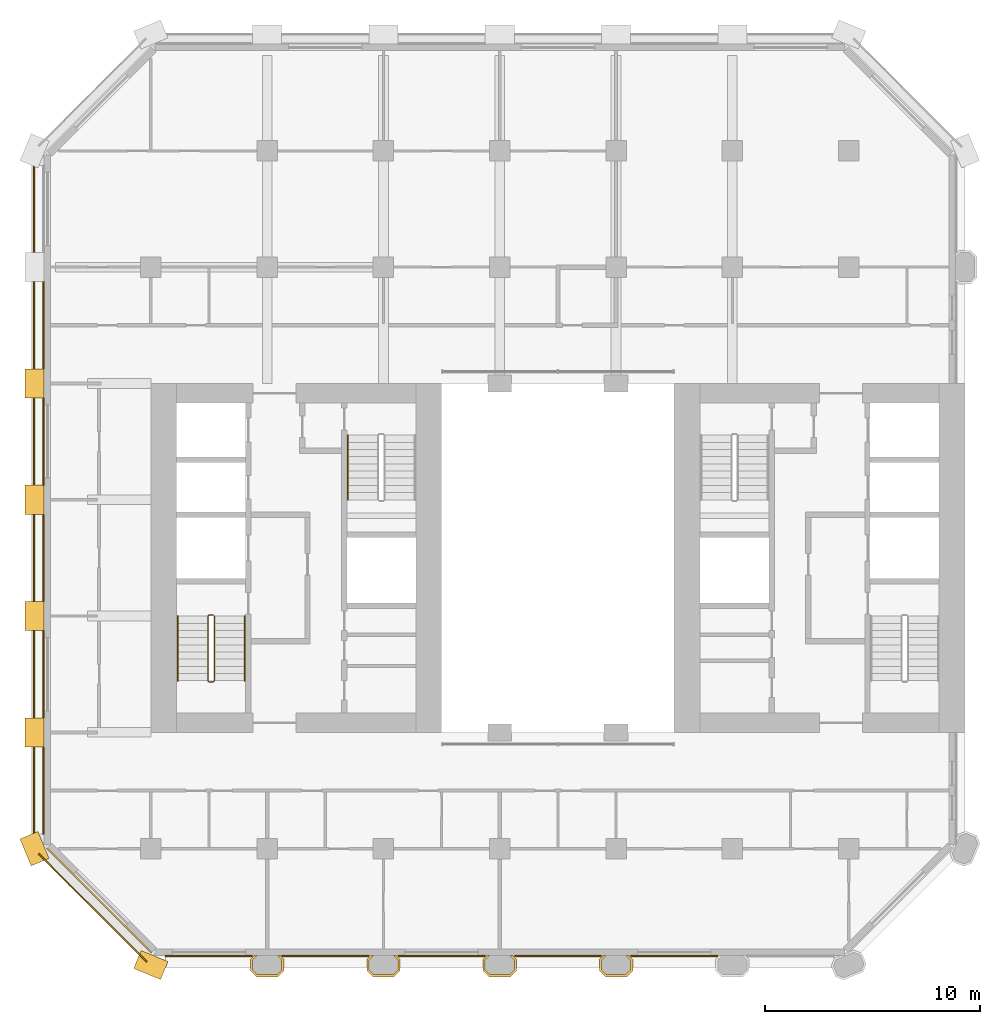
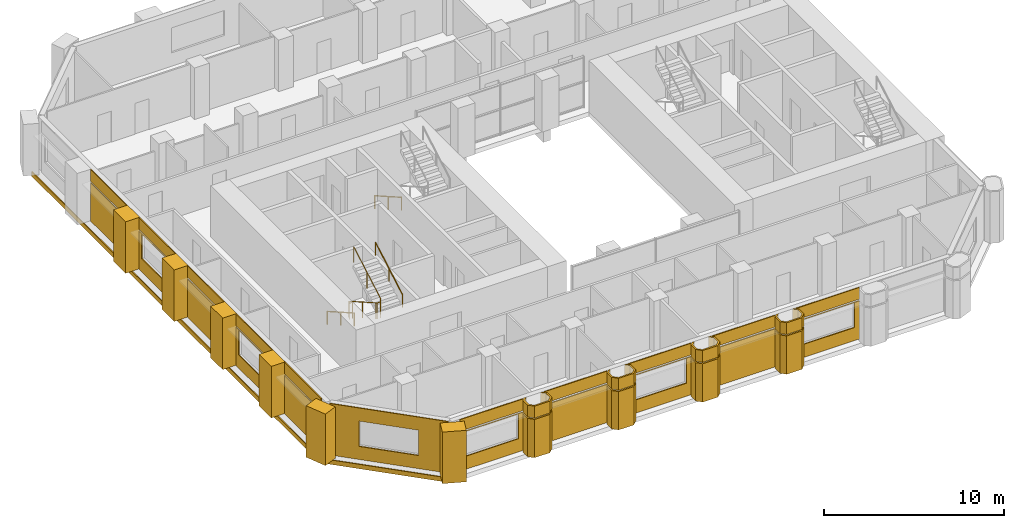
# One storey, part 11 of 13: 37 coverings, 4 railings.
"""IFC4 building model written with IfcOpenShell, lengths in metres."""

from ifc_helpers import new_model, si_unit, direction, frame, frame_2d, origin, origin_2d, place, context, subcontext, project, spatial, polyline, rectangle, circle, outline, extrude, material, layer, layer_set, type_object, element, save


model = new_model("IFC4")

# Units and contexts
model_context = context("Model", 3, precision=1e-05, world=origin(), true_north=direction((0.0, 1.0)))
body_context = subcontext(model_context, "Body", "Model", "MODEL_VIEW")
ifc_project = project(units=[si_unit("LENGTHUNIT", "METRE"), si_unit("AREAUNIT", "SQUARE_METRE"), si_unit("VOLUMEUNIT", "CUBIC_METRE"), si_unit("PLANEANGLEUNIT", "RADIAN"), si_unit("MASSUNIT", "GRAM", prefix="KILO")], contexts=[model_context])

# Site, building, storey
site_placement = place(None, origin())
site = spatial("IfcSite", under=ifc_project, at=site_placement, CompositionType="ELEMENT")
building_placement = place(site_placement, origin())
building = spatial("IfcBuilding", under=site, at=building_placement, Name="Tabaq Tower and Sports Hall", CompositionType="ELEMENT")
storey_placement = place(building_placement, frame((0.0, 0.0, 110.60009765625)))
storey = spatial("IfcBuildingStorey", under=building, at=storey_placement, Name="L26", CompositionType="ELEMENT", Elevation=110.60009765625)

# Coverings
ifc_material_1 = material(Name="Precast concrete C60/75", Category="concrete")
ifc_layer_1 = layer(ifc_material_1, 0.10009765625)
ifc_layer_set_1 = layer_set([ifc_layer_1], Name="Column cladding 100")
covering_type_1 = type_object("IfcCoveringType", Name="Column cladding 100", PredefinedType="CLADDING", material=ifc_layer_set_1)
covering_1_placement = place(storey_placement, origin())
element("IfcCovering", 1, at=covering_1_placement, inside=storey, type_object=covering_type_1, Name="Column cladding L26 PC-3B-O3", PredefinedType="CLADDING", context=body_context, shape_type="SweptSolid", body=[
    extrude(outline(polyline([(10.025390625, 5.666259765625), (10.208740234375, 5.849609375), (10.349365234375, 5.849609375), (10.124755859375, 5.625244140625), (10.124755859375, 5.1748046875), (10.349853515625, 4.94970703125), (11.250244140625, 4.94970703125), (11.475341796875, 5.1748046875), (11.475341796875, 5.625244140625), (11.250732421875, 5.849609375), (11.391357421875, 5.849609375), (11.57470703125, 5.666259765625), (11.57470703125, 5.1337890625), (11.291259765625, 4.850341796875), (10.30859375, 4.850341796875), (10.025390625, 5.1337890625), (10.025390625, 5.666259765625)])), origin(), (0.0, 0.0, 1.0), 2.599853515625),
])
covering_2_placement = place(storey_placement, frame((0.0, 0.0, 2.699951171875)))
element("IfcCovering", 2, at=covering_2_placement, inside=storey, type_object=covering_type_1, Name="Column cladding L26 PC-3B-O3 2", PredefinedType="CLADDING", context=body_context, shape_type="SweptSolid", body=[
    extrude(outline(polyline([(10.025390625, 5.666259765625), (10.208740234375, 5.849609375), (10.349365234375, 5.849609375), (10.124755859375, 5.625244140625), (10.124755859375, 5.1748046875), (10.349853515625, 4.94970703125), (11.250244140625, 4.94970703125), (11.475341796875, 5.1748046875), (11.475341796875, 5.625244140625), (11.250732421875, 5.849609375), (11.391357421875, 5.849609375), (11.57470703125, 5.666259765625), (11.57470703125, 5.1337890625), (11.291259765625, 4.850341796875), (10.30859375, 4.850341796875), (10.025390625, 5.1337890625), (10.025390625, 5.666259765625)])), origin(), (0.0, 0.0, 1.0), 0.800048828125),
])
covering_3_placement = place(storey_placement, origin())
element("IfcCovering", 3, at=covering_3_placement, inside=storey, type_object=covering_type_1, Name="Column cladding L26 PC-4B-O3", PredefinedType="CLADDING", context=body_context, shape_type="SweptSolid", body=[
    extrude(outline(polyline([(15.42529296875, 5.666259765625), (15.608642578125, 5.849609375), (15.749267578125, 5.849609375), (15.524658203125, 5.625244140625), (15.524658203125, 5.1748046875), (15.749755859375, 4.94970703125), (16.650146484375, 4.94970703125), (16.875244140625, 5.1748046875), (16.875244140625, 5.625244140625), (16.650634765625, 5.849609375), (16.791259765625, 5.849609375), (16.974609375, 5.666259765625), (16.974609375, 5.1337890625), (16.69140625, 4.850341796875), (15.708740234375, 4.850341796875), (15.42529296875, 5.1337890625), (15.42529296875, 5.666259765625)])), origin(), (0.0, 0.0, 1.0), 2.599853515625),
])
covering_4_placement = place(storey_placement, frame((0.0, 0.0, 2.699951171875)))
element("IfcCovering", 4, at=covering_4_placement, inside=storey, type_object=covering_type_1, Name="Column cladding L26 PC-4B-O3 2", PredefinedType="CLADDING", context=body_context, shape_type="SweptSolid", body=[
    extrude(outline(polyline([(15.42529296875, 5.666259765625), (15.608642578125, 5.849609375), (15.749267578125, 5.849609375), (15.524658203125, 5.625244140625), (15.524658203125, 5.1748046875), (15.749755859375, 4.94970703125), (16.650146484375, 4.94970703125), (16.875244140625, 5.1748046875), (16.875244140625, 5.625244140625), (16.650634765625, 5.849609375), (16.791259765625, 5.849609375), (16.974609375, 5.666259765625), (16.974609375, 5.1337890625), (16.69140625, 4.850341796875), (15.708740234375, 4.850341796875), (15.42529296875, 5.1337890625), (15.42529296875, 5.666259765625)])), origin(), (0.0, 0.0, 1.0), 0.800048828125),
])
covering_5_placement = place(storey_placement, origin())
element("IfcCovering", 5, at=covering_5_placement, inside=storey, type_object=covering_type_1, Name="Column cladding L26 PC-5B-O3", PredefinedType="CLADDING", context=body_context, shape_type="SweptSolid", body=[
    extrude(outline(polyline([(20.8251953125, 5.666259765625), (21.0087890625, 5.849609375), (21.149169921875, 5.849609375), (20.9248046875, 5.625244140625), (20.9248046875, 5.1748046875), (21.14990234375, 4.94970703125), (22.050048828125, 4.94970703125), (22.275390625, 5.1748046875), (22.275390625, 5.625244140625), (22.05078125, 5.849609375), (22.19140625, 5.849609375), (22.374755859375, 5.666259765625), (22.374755859375, 5.1337890625), (22.09130859375, 4.850341796875), (21.108642578125, 4.850341796875), (20.8251953125, 5.1337890625), (20.8251953125, 5.666259765625)])), origin(), (0.0, 0.0, 1.0), 2.599853515625),
])
covering_6_placement = place(storey_placement, frame((0.0, 0.0, 2.699951171875)))
element("IfcCovering", 6, at=covering_6_placement, inside=storey, type_object=covering_type_1, Name="Column cladding L26 PC-5B-O3 2", PredefinedType="CLADDING", context=body_context, shape_type="SweptSolid", body=[
    extrude(outline(polyline([(20.8251953125, 5.666259765625), (21.0087890625, 5.849609375), (21.149169921875, 5.849609375), (20.9248046875, 5.625244140625), (20.9248046875, 5.1748046875), (21.14990234375, 4.94970703125), (22.050048828125, 4.94970703125), (22.275390625, 5.1748046875), (22.275390625, 5.625244140625), (22.05078125, 5.849609375), (22.19140625, 5.849609375), (22.374755859375, 5.666259765625), (22.374755859375, 5.1337890625), (22.09130859375, 4.850341796875), (21.108642578125, 4.850341796875), (20.8251953125, 5.1337890625), (20.8251953125, 5.666259765625)])), origin(), (0.0, 0.0, 1.0), 0.800048828125),
])
covering_7_placement = place(storey_placement, origin())
element("IfcCovering", 7, at=covering_7_placement, inside=storey, type_object=covering_type_1, Name="Column cladding L26 PC-6B-O3", PredefinedType="CLADDING", context=body_context, shape_type="SweptSolid", body=[
    extrude(outline(polyline([(26.225341796875, 5.666259765625), (26.40869140625, 5.849609375), (26.54931640625, 5.849609375), (26.32470703125, 5.625244140625), (26.32470703125, 5.1748046875), (26.5498046875, 4.94970703125), (27.4501953125, 4.94970703125), (27.67529296875, 5.1748046875), (27.67529296875, 5.625244140625), (27.45068359375, 5.849609375), (27.59130859375, 5.849609375), (27.774658203125, 5.666259765625), (27.774658203125, 5.1337890625), (27.4912109375, 4.850341796875), (26.5087890625, 4.850341796875), (26.225341796875, 5.1337890625), (26.225341796875, 5.666259765625)])), origin(), (0.0, 0.0, 1.0), 2.599853515625),
])
covering_8_placement = place(storey_placement, frame((0.0, 0.0, 2.699951171875)))
element("IfcCovering", 8, at=covering_8_placement, inside=storey, type_object=covering_type_1, Name="Column cladding L26 PC-6B-O3 2", PredefinedType="CLADDING", context=body_context, shape_type="SweptSolid", body=[
    extrude(outline(polyline([(26.225341796875, 5.666259765625), (26.40869140625, 5.849609375), (26.54931640625, 5.849609375), (26.32470703125, 5.625244140625), (26.32470703125, 5.1748046875), (26.5498046875, 4.94970703125), (27.4501953125, 4.94970703125), (27.67529296875, 5.1748046875), (27.67529296875, 5.625244140625), (27.45068359375, 5.849609375), (27.59130859375, 5.849609375), (27.774658203125, 5.666259765625), (27.774658203125, 5.1337890625), (27.4912109375, 4.850341796875), (26.5087890625, 4.850341796875), (26.225341796875, 5.1337890625), (26.225341796875, 5.666259765625)])), origin(), (0.0, 0.0, 1.0), 0.800048828125),
])
ifc_material_2 = material(Name="Precast concrete C60/75", Category="concrete")
ifc_layer_2 = layer(ifc_material_2, 0.06005859375)
ifc_layer_set_2 = layer_set([ifc_layer_2], Name="Edge beam cladding 60")
covering_type_2 = type_object("IfcCoveringType", Name="Edge beam cladding 60", PredefinedType="CLADDING", material=ifc_layer_set_2)
covering_9_placement = place(storey_placement, frame((-0.030029296875, 42.9013671875, -0.300048828125), z_axis=(0.0, 0.0, 1.0), x_axis=(0.0, -1.0, 0.0)))
element("IfcCovering", 9, at=covering_9_placement, inside=storey, type_object=covering_type_2, Name="Edge beam cladding L26 4", PredefinedType="CLADDING", context=body_context, shape_type="SweptSolid", body=[
    extrude(rectangle(XDim=31.802734375, YDim=0.06005859375, at=frame_2d((15.9013671875, 0.0))), origin(), (0.0, 0.0, 1.0), 0.300048828125),
])
covering_10_placement = place(storey_placement, frame((0.18994140625, 10.567626953125, -0.300048828125), z_axis=(0.0, 0.0, 1.0), x_axis=(0.707106781187, -0.707106781187, 0.0)))
element("IfcCovering", 10, at=covering_10_placement, inside=storey, type_object=covering_type_2, Name="Edge beam cladding L26 5", PredefinedType="CLADDING", context=body_context, shape_type="SweptSolid", body=[
    extrude(rectangle(XDim=7.087890625, YDim=0.06005859375, at=frame_2d((3.5439453125, 0.0))), origin(), (0.0, 0.0, 1.0), 0.300048828125),
])
ifc_material_3 = material(Name="White precast concrete C60/75", Category="concrete")
covering_type_3 = type_object("IfcCoveringType", Name="Pier cladding hung 1350x900", PredefinedType="CLADDING", material=ifc_material_3)
for number, where, z_axis, x_axis, name in (
    (11, (-0.25830078125, 11.423583984375, 0.0), (0.0, 0.0, 1.0), (0.382649923473, -0.923893411637, 0.0), "Hung pier cladding 0/2"),
    (12, (0.0, 16.875, 0.0), (0.0, 0.0, 1.0), (0.0, -1.0, 0.0), "Hung pier cladding 0/3"),
):
    element("IfcCovering", number, at=place(storey_placement, frame(where, z_axis=z_axis, x_axis=x_axis)), inside=storey, type_object=covering_type_3, Name=name, PredefinedType="CLADDING", context=body_context, shape_type="SweptSolid", body=[
        extrude(rectangle(XDim=1.35009765625, YDim=0.89990234375, at=frame_2d((0.675048828125, 0.0))), origin(), (0.0, 0.0, 1.0), 3.5),
    ])
covering_11_placement = place(storey_placement, frame((0.0, 22.27490234375, 0.0), z_axis=(0.0, 0.0, 1.0), x_axis=(0.0, -1.0, 0.0)))
element("IfcCovering", 13, at=covering_11_placement, inside=storey, type_object=covering_type_3, Name="Hung pier cladding 0/4", PredefinedType="CLADDING", context=body_context, shape_type="SweptSolid", body=[
    extrude(rectangle(XDim=1.349853515625, YDim=0.89990234375, at=frame_2d((0.6748046875, 0.0))), origin(), (0.0, 0.0, 1.0), 3.5),
])
covering_12_placement = place(storey_placement, frame((0.0, 27.675048828125, 0.0), z_axis=(0.0, 0.0, 1.0), x_axis=(0.0, -1.0, 0.0)))
element("IfcCovering", 14, at=covering_12_placement, inside=storey, type_object=covering_type_3, Name="Hung pier cladding 0/5", PredefinedType="CLADDING", context=body_context, shape_type="SweptSolid", body=[
    extrude(rectangle(XDim=1.35009765625, YDim=0.89990234375, at=frame_2d((0.675048828125, 0.0))), origin(), (0.0, 0.0, 1.0), 3.5),
])
covering_13_placement = place(storey_placement, frame((0.0, 33.074951171875, 0.0), z_axis=(0.0, 0.0, 1.0), x_axis=(0.0, -1.0, 0.0)))
element("IfcCovering", 15, at=covering_13_placement, inside=storey, type_object=covering_type_3, Name="Hung pier cladding 0/6", PredefinedType="CLADDING", context=body_context, shape_type="SweptSolid", body=[
    extrude(rectangle(XDim=1.349853515625, YDim=0.89990234375, at=frame_2d((0.6748046875, 0.0))), origin(), (0.0, 0.0, 1.0), 3.5),
])
covering_14_placement = place(storey_placement, frame((4.7763671875, 5.658203125, 0.0), z_axis=(0.0, 0.0, 1.0), x_axis=(0.923893411637, -0.382649923473, 0.0)))
element("IfcCovering", 16, at=covering_14_placement, inside=storey, type_object=covering_type_3, Name="Hung pier cladding 1/1", PredefinedType="CLADDING", context=body_context, shape_type="SweptSolid", body=[
    extrude(rectangle(XDim=1.35009765625, YDim=0.89990234375, at=frame_2d((0.675048828125, 0.0))), origin(), (0.0, 0.0, 1.0), 3.5),
])

# Railings
ifc_material_4 = material(Name="Stainless steel", Category="steel")
railing_type_1 = type_object("IfcRailingType", Name="Stair guard", PredefinedType="GUARDRAIL", material=ifc_material_4)
railing_1_placement = place(storey_placement, frame((8.300048828125, 21.64990234375, 0.0)))
element("IfcRailing", 17, at=railing_1_placement, inside=storey, type_object=railing_type_1, Name="L26 ST1 stair guard 1", PredefinedType="GUARDRAIL", context=body_context, shape_type="SweptSolid", body=[
    extrude(circle(Radius=0.02392578125, at=origin_2d()), frame((0.0, 0.0, 1.076171875), z_axis=(-1.0, 0.0, 0.0), x_axis=(0.0, -1.0, 0.0)), (0.0, 0.0, 1.0), 0.199951171875),
    extrude(circle(Radius=0.02392578125, at=origin_2d()), frame((-0.199951171875, 0.0, 1.076171875), z_axis=(-0.246983470365, -0.245778672949, 0.937332389972), x_axis=(0.705375805398, -0.708833529934, 0.0)), (0.0, 0.0, 1.0), 0.20263671875),
    extrude(circle(Radius=0.02392578125, at=origin_2d()), frame((-0.25, -0.0498046875, 1.26611328125), z_axis=(0.0, -0.868782136927, 0.495194505781), x_axis=(1.0, 0.0, 0.0)), (0.0, 0.0, 1.0), 3.453125),
    extrude(circle(Radius=0.02392578125, at=origin_2d()), frame((-0.25, -3.0498046875, 2.97607421875), z_axis=(0.707106781187, -0.707106781187, 0.0), x_axis=(0.707106781187, 0.707106781187, 0.0)), (0.0, 0.0, 1.0), 0.07080078125),
    extrude(circle(Radius=0.02392578125, at=origin_2d()), frame((-0.199951171875, -3.099853515625, 2.97607421875), z_axis=(1.0, 0.0, 0.0), x_axis=(0.0, 1.0, 0.0)), (0.0, 0.0, 1.0), 0.199951171875),
    extrude(circle(Radius=0.02392578125, at=origin_2d()), frame((0.0, -3.099853515625, 2.97607421875), z_axis=(0.246910188598, 0.246910188598, 0.937054276727), x_axis=(-0.707106781187, 0.707106781187, 0.0)), (0.0, 0.0, 1.0), 0.20263671875),
    extrude(circle(Radius=0.02392578125, at=origin_2d()), frame((0.050048828125, -3.0498046875, 3.166015625), z_axis=(0.0, 0.868782136927, 0.495194505781), x_axis=(-1.0, 0.0, 0.0)), (0.0, 0.0, 1.0), 3.453125),
    extrude(circle(Radius=0.02099609375, at=origin_2d()), origin(), (0.0, 0.0, 1.0), 1.052001953125),
    extrude(circle(Radius=0.02099609375, at=origin_2d()), frame((-0.199951171875, 0.0, 0.0)), (0.0, 0.0, 1.0), 1.052001953125),
    extrude(circle(Radius=0.02099609375, at=origin_2d()), frame((-0.25, -0.0498046875, 0.18994140625)), (0.0, 0.0, 1.0), 1.052001953125),
    extrude(circle(Radius=0.02099609375, at=origin_2d()), frame((-0.25, -1.5498046875, 1.044921875)), (0.0, 0.0, 1.0), 1.052001953125),
    extrude(circle(Radius=0.02099609375, at=origin_2d()), frame((-0.25, -3.0498046875, 1.89990234375)), (0.0, 0.0, 1.0), 1.052001953125),
    extrude(circle(Radius=0.02099609375, at=origin_2d()), frame((-0.199951171875, -3.099853515625, 1.89990234375)), (0.0, 0.0, 1.0), 1.052001953125),
    extrude(circle(Radius=0.02099609375, at=origin_2d()), frame((0.0, -3.099853515625, 1.89990234375)), (0.0, 0.0, 1.0), 1.052001953125),
    extrude(circle(Radius=0.02099609375, at=origin_2d()), frame((0.050048828125, -3.0498046875, 2.08984375)), (0.0, 0.0, 1.0), 1.052001953125),
    extrude(circle(Radius=0.02099609375, at=origin_2d()), frame((0.050048828125, -1.5498046875, 2.94482421875)), (0.0, 0.0, 1.0), 1.052001953125),
    extrude(circle(Radius=0.02099609375, at=origin_2d()), frame((0.050048828125, -0.0498046875, 3.7998046875)), (0.0, 0.0, 1.0), 1.052001953125),
])
ifc_material_5 = material(Name="Stainless steel", Category="steel")
railing_type_2 = type_object("IfcRailingType", Name="Stair handrail", PredefinedType="HANDRAIL", material=ifc_material_5)
railing_2_placement = place(storey_placement, frame((6.64990234375, 21.60009765625, 0.18994140625)))
element("IfcRailing", 18, at=railing_2_placement, inside=storey, type_object=railing_type_2, Name="L26 ST1 stair handrail 1", PredefinedType="HANDRAIL", context=body_context, shape_type="SweptSolid", body=[
    extrude(circle(Radius=0.02392578125, at=origin_2d()), frame((0.0, 0.0, 0.8759765625), z_axis=(0.0, -0.868782136927, 0.495194505781), x_axis=(1.0, 0.0, 0.0)), (0.0, 0.0, 1.0), 3.453125),
    extrude(circle(Radius=0.02099609375, at=origin_2d()), origin(), (0.0, 0.0, 1.0), 0.851806640625),
    extrude(circle(Radius=0.02099609375, at=origin_2d()), frame((0.0, -1.5, 0.85498046875)), (0.0, 0.0, 1.0), 0.851806640625),
    extrude(circle(Radius=0.02099609375, at=origin_2d()), frame((0.0, -3.0, 1.7099609375)), (0.0, 0.0, 1.0), 0.851806640625),
])
railing_3_placement = place(storey_placement, frame((9.75, 18.60009765625, 2.08984375)))
element("IfcRailing", 19, at=railing_3_placement, inside=storey, type_object=railing_type_2, Name="L26 ST1 stair handrail 2", PredefinedType="HANDRAIL", context=body_context, shape_type="SweptSolid", body=[
    extrude(circle(Radius=0.02392578125, at=origin_2d()), frame((0.0, 0.0, 0.8759765625), z_axis=(0.0, 0.868782136927, 0.495194505781), x_axis=(-1.0, 0.0, 0.0)), (0.0, 0.0, 1.0), 3.453125),
    extrude(circle(Radius=0.02099609375, at=origin_2d()), origin(), (0.0, 0.0, 1.0), 0.851806640625),
    extrude(circle(Radius=0.02099609375, at=origin_2d()), frame((0.0, 1.5, 0.85498046875)), (0.0, 0.0, 1.0), 0.851806640625),
    extrude(circle(Radius=0.02099609375, at=origin_2d()), frame((0.0, 3.0, 1.7099609375)), (0.0, 0.0, 1.0), 0.851806640625),
])
railing_4_placement = place(storey_placement, frame((14.550048828125, 30.0, 0.18994140625)))
element("IfcRailing", 20, at=railing_4_placement, inside=storey, type_object=railing_type_2, Name="L26 ST2 stair handrail 1", PredefinedType="HANDRAIL", context=body_context, shape_type="SweptSolid", body=[
    extrude(circle(Radius=0.02392578125, at=origin_2d()), frame((0.0, 0.0, 0.8759765625), z_axis=(0.0, -0.868782136927, 0.495194505781), x_axis=(1.0, 0.0, 0.0)), (0.0, 0.0, 1.0), 3.453125),
    extrude(circle(Radius=0.02099609375, at=origin_2d()), origin(), (0.0, 0.0, 1.0), 0.851806640625),
    extrude(circle(Radius=0.02099609375, at=origin_2d()), frame((0.0, -1.5, 0.85498046875)), (0.0, 0.0, 1.0), 0.851806640625),
    extrude(circle(Radius=0.02099609375, at=origin_2d()), frame((0.0, -3.0, 1.7099609375)), (0.0, 0.0, 1.0), 0.851806640625),
])

# Coverings
ifc_material_6 = material(Name="Precast concrete C60/75", Category="concrete")
ifc_layer_3 = layer(ifc_material_6, 0.06005859375)
ifc_layer_set_3 = layer_set([ifc_layer_3], Name="White precast cladding panel 60 C60/75")
covering_type_4 = type_object("IfcCoveringType", Name="White precast cladding panel 60 C60/75", PredefinedType="CLADDING", material=ifc_layer_set_3)
covering_15_placement = place(storey_placement, frame((6.06494140625, 5.820068359375, 0.0), z_axis=(0.0, 0.0, 1.0), x_axis=(1.0, 0.0, 0.0)))
element("IfcCovering", 21, at=covering_15_placement, inside=storey, type_object=covering_type_4, Name="White precast cladding panel L26 wall00", PredefinedType="CLADDING", context=body_context, shape_type="SweptSolid", body=[
    extrude(outline(polyline([(0.0, 0.0), (4.050048828125, 0.0), (4.050048828125, 2.58984375), (0.0, 2.58984375), (0.0, 0.0)]), holes=[polyline([(3.7451171875, 0.889892578125), (0.324951171875, 0.889892578125), (0.324951171875, 2.559814453125), (3.7451171875, 2.559814453125), (3.7451171875, 0.889892578125)])]), frame((0.0, 0.030029296875, 0.0), z_axis=(0.0, -1.0, 0.0), x_axis=(1.0, 0.0, 0.0)), (0.0, 0.0, 1.0), 0.06005859375),
])
covering_16_placement = place(storey_placement, frame((6.06494140625, 5.820068359375, 2.7099609375), z_axis=(0.0, 0.0, 1.0), x_axis=(1.0, 0.0, 0.0)))
element("IfcCovering", 22, at=covering_16_placement, inside=storey, type_object=covering_type_4, Name="White precast cladding panel L26 wall00 2", PredefinedType="CLADDING", context=body_context, shape_type="SweptSolid", body=[
    extrude(rectangle(XDim=4.050048828125, YDim=0.06005859375, at=frame_2d((2.02490234375, 0.0))), origin(), (0.0, 0.0, 1.0), 0.7900390625),
])
covering_17_placement = place(storey_placement, frame((11.485107421875, 5.820068359375, 0.0), z_axis=(0.0, 0.0, 1.0), x_axis=(1.0, 0.0, 0.0)))
element("IfcCovering", 23, at=covering_17_placement, inside=storey, type_object=covering_type_4, Name="White precast cladding panel L26 wall00 3", PredefinedType="CLADDING", context=body_context, shape_type="SweptSolid", body=[
    extrude(rectangle(XDim=4.02978515625, YDim=0.06005859375, at=frame_2d((2.014892578125, 0.0))), origin(), (0.0, 0.0, 1.0), 2.58984375),
])
covering_18_placement = place(storey_placement, frame((11.485107421875, 5.820068359375, 2.7099609375), z_axis=(0.0, 0.0, 1.0), x_axis=(1.0, 0.0, 0.0)))
element("IfcCovering", 24, at=covering_18_placement, inside=storey, type_object=covering_type_4, Name="White precast cladding panel L26 wall00 4", PredefinedType="CLADDING", context=body_context, shape_type="SweptSolid", body=[
    extrude(rectangle(XDim=4.02978515625, YDim=0.06005859375, at=frame_2d((2.014892578125, 0.0))), origin(), (0.0, 0.0, 1.0), 0.7900390625),
])
covering_19_placement = place(storey_placement, frame((16.885009765625, 5.820068359375, 0.0), z_axis=(0.0, 0.0, 1.0), x_axis=(1.0, 0.0, 0.0)))
element("IfcCovering", 25, at=covering_19_placement, inside=storey, type_object=covering_type_4, Name="White precast cladding panel L26 wall00 5", PredefinedType="CLADDING", context=body_context, shape_type="SweptSolid", body=[
    extrude(outline(polyline([(0.0, 0.0), (4.030029296875, 0.0), (4.030029296875, 2.58984375), (0.0, 2.58984375), (0.0, 0.0)]), holes=[polyline([(3.72509765625, 0.889892578125), (0.304931640625, 0.889892578125), (0.304931640625, 2.559814453125), (3.72509765625, 2.559814453125), (3.72509765625, 0.889892578125)])]), frame((0.0, 0.030029296875, 0.0), z_axis=(0.0, -1.0, 0.0), x_axis=(1.0, 0.0, 0.0)), (0.0, 0.0, 1.0), 0.06005859375),
])
covering_20_placement = place(storey_placement, frame((16.885009765625, 5.820068359375, 2.7099609375), z_axis=(0.0, 0.0, 1.0), x_axis=(1.0, 0.0, 0.0)))
element("IfcCovering", 26, at=covering_20_placement, inside=storey, type_object=covering_type_4, Name="White precast cladding panel L26 wall00 6", PredefinedType="CLADDING", context=body_context, shape_type="SweptSolid", body=[
    extrude(rectangle(XDim=4.030029296875, YDim=0.06005859375, at=frame_2d((2.01513671875, 0.0))), origin(), (0.0, 0.0, 1.0), 0.7900390625),
])
covering_21_placement = place(storey_placement, frame((22.284912109375, 5.820068359375, 0.0), z_axis=(0.0, 0.0, 1.0), x_axis=(1.0, 0.0, 0.0)))
element("IfcCovering", 27, at=covering_21_placement, inside=storey, type_object=covering_type_4, Name="White precast cladding panel L26 wall00 7", PredefinedType="CLADDING", context=body_context, shape_type="SweptSolid", body=[
    extrude(rectangle(XDim=4.030029296875, YDim=0.06005859375, at=frame_2d((2.01513671875, 0.0))), origin(), (0.0, 0.0, 1.0), 2.58984375),
])
covering_22_placement = place(storey_placement, frame((22.284912109375, 5.820068359375, 2.7099609375), z_axis=(0.0, 0.0, 1.0), x_axis=(1.0, 0.0, 0.0)))
element("IfcCovering", 28, at=covering_22_placement, inside=storey, type_object=covering_type_4, Name="White precast cladding panel L26 wall00 8", PredefinedType="CLADDING", context=body_context, shape_type="SweptSolid", body=[
    extrude(rectangle(XDim=4.030029296875, YDim=0.06005859375, at=frame_2d((2.01513671875, 0.0))), origin(), (0.0, 0.0, 1.0), 0.7900390625),
])
covering_23_placement = place(storey_placement, frame((27.68505859375, 5.820068359375, 0.0), z_axis=(0.0, 0.0, 1.0), x_axis=(1.0, 0.0, 0.0)))
element("IfcCovering", 29, at=covering_23_placement, inside=storey, type_object=covering_type_4, Name="White precast cladding panel L26 wall00 9", PredefinedType="CLADDING", context=body_context, shape_type="SweptSolid", body=[
    extrude(outline(polyline([(0.0, 0.0), (4.030029296875, 0.0), (4.030029296875, 2.58984375), (0.0, 2.58984375), (0.0, 0.0)]), holes=[polyline([(3.72509765625, 0.889892578125), (0.304931640625, 0.889892578125), (0.304931640625, 2.559814453125), (3.72509765625, 2.559814453125), (3.72509765625, 0.889892578125)])]), frame((0.0, 0.030029296875, 0.0), z_axis=(0.0, -1.0, 0.0), x_axis=(1.0, 0.0, 0.0)), (0.0, 0.0, 1.0), 0.06005859375),
])
covering_24_placement = place(storey_placement, frame((27.68505859375, 5.820068359375, 2.7099609375), z_axis=(0.0, 0.0, 1.0), x_axis=(1.0, 0.0, 0.0)))
element("IfcCovering", 30, at=covering_24_placement, inside=storey, type_object=covering_type_4, Name="White precast cladding panel L26 wall00 10", PredefinedType="CLADDING", context=body_context, shape_type="SweptSolid", body=[
    extrude(rectangle(XDim=4.030029296875, YDim=0.06005859375, at=frame_2d((2.01513671875, 0.0))), origin(), (0.0, 0.0, 1.0), 0.7900390625),
])
covering_25_placement = place(storey_placement, frame((0.419921875, 37.114990234375, 0.0), z_axis=(0.0, 0.0, 1.0), x_axis=(0.0, -1.0, 0.0)))
element("IfcCovering", 31, at=covering_25_placement, inside=storey, type_object=covering_type_4, Name="White precast cladding panel L26 wall06 3", PredefinedType="CLADDING", context=body_context, shape_type="SweptSolid", body=[
    extrude(rectangle(XDim=4.030029296875, YDim=0.06005859375, at=frame_2d((2.01513671875, 0.0))), origin(), (0.0, 0.0, 1.0), 2.58984375),
])
covering_26_placement = place(storey_placement, frame((0.419921875, 37.114990234375, 2.7099609375), z_axis=(0.0, 0.0, 1.0), x_axis=(0.0, -1.0, 0.0)))
element("IfcCovering", 32, at=covering_26_placement, inside=storey, type_object=covering_type_4, Name="White precast cladding panel L26 wall06 4", PredefinedType="CLADDING", context=body_context, shape_type="SweptSolid", body=[
    extrude(rectangle(XDim=4.030029296875, YDim=0.06005859375, at=frame_2d((2.01513671875, 0.0))), origin(), (0.0, 0.0, 1.0), 0.7900390625),
])
covering_27_placement = place(storey_placement, frame((0.419921875, 31.715087890625, 0.0), z_axis=(0.0, 0.0, 1.0), x_axis=(0.0, -1.0, 0.0)))
element("IfcCovering", 33, at=covering_27_placement, inside=storey, type_object=covering_type_4, Name="White precast cladding panel L26 wall06 5", PredefinedType="CLADDING", context=body_context, shape_type="SweptSolid", body=[
    extrude(outline(polyline([(0.0, 0.0), (4.030029296875, 0.0), (4.030029296875, 2.58984375), (0.0, 2.58984375), (0.0, 0.0)]), holes=[polyline([(3.72509765625, 0.889892578125), (0.304931640625, 0.889892578125), (0.304931640625, 2.559814453125), (3.72509765625, 2.559814453125), (3.72509765625, 0.889892578125)])]), frame((0.0, 0.030029296875, 0.0), z_axis=(0.0, -1.0, 0.0), x_axis=(1.0, 0.0, 0.0)), (0.0, 0.0, 1.0), 0.06005859375),
])
covering_28_placement = place(storey_placement, frame((0.419921875, 31.715087890625, 2.7099609375), z_axis=(0.0, 0.0, 1.0), x_axis=(0.0, -1.0, 0.0)))
element("IfcCovering", 34, at=covering_28_placement, inside=storey, type_object=covering_type_4, Name="White precast cladding panel L26 wall06 6", PredefinedType="CLADDING", context=body_context, shape_type="SweptSolid", body=[
    extrude(rectangle(XDim=4.030029296875, YDim=0.06005859375, at=frame_2d((2.01513671875, 0.0))), origin(), (0.0, 0.0, 1.0), 0.7900390625),
])
covering_29_placement = place(storey_placement, frame((0.419921875, 26.31494140625, 0.0), z_axis=(0.0, 0.0, 1.0), x_axis=(0.0, -1.0, 0.0)))
element("IfcCovering", 35, at=covering_29_placement, inside=storey, type_object=covering_type_4, Name="White precast cladding panel L26 wall06 7", PredefinedType="CLADDING", context=body_context, shape_type="SweptSolid", body=[
    extrude(rectangle(XDim=4.030029296875, YDim=0.06005859375, at=frame_2d((2.01513671875, 0.0))), origin(), (0.0, 0.0, 1.0), 2.58984375),
])
covering_30_placement = place(storey_placement, frame((0.419921875, 26.31494140625, 2.7099609375), z_axis=(0.0, 0.0, 1.0), x_axis=(0.0, -1.0, 0.0)))
element("IfcCovering", 36, at=covering_30_placement, inside=storey, type_object=covering_type_4, Name="White precast cladding panel L26 wall06 8", PredefinedType="CLADDING", context=body_context, shape_type="SweptSolid", body=[
    extrude(rectangle(XDim=4.030029296875, YDim=0.06005859375, at=frame_2d((2.01513671875, 0.0))), origin(), (0.0, 0.0, 1.0), 0.7900390625),
])
covering_31_placement = place(storey_placement, frame((0.419921875, 20.9150390625, 0.0), z_axis=(0.0, 0.0, 1.0), x_axis=(0.0, -1.0, 0.0)))
element("IfcCovering", 37, at=covering_31_placement, inside=storey, type_object=covering_type_4, Name="White precast cladding panel L26 wall06 9", PredefinedType="CLADDING", context=body_context, shape_type="SweptSolid", body=[
    extrude(outline(polyline([(0.0, 0.0), (4.030029296875, 0.0), (4.030029296875, 2.58984375), (0.0, 2.58984375), (0.0, 0.0)]), holes=[polyline([(3.72509765625, 0.889892578125), (0.304931640625, 0.889892578125), (0.304931640625, 2.559814453125), (3.72509765625, 2.559814453125), (3.72509765625, 0.889892578125)])]), frame((0.0, 0.030029296875, 0.0), z_axis=(0.0, -1.0, 0.0), x_axis=(1.0, 0.0, 0.0)), (0.0, 0.0, 1.0), 0.06005859375),
])
covering_32_placement = place(storey_placement, frame((0.419921875, 20.9150390625, 2.7099609375), z_axis=(0.0, 0.0, 1.0), x_axis=(0.0, -1.0, 0.0)))
element("IfcCovering", 38, at=covering_32_placement, inside=storey, type_object=covering_type_4, Name="White precast cladding panel L26 wall06 10", PredefinedType="CLADDING", context=body_context, shape_type="SweptSolid", body=[
    extrude(rectangle(XDim=4.030029296875, YDim=0.06005859375, at=frame_2d((2.01513671875, 0.0))), origin(), (0.0, 0.0, 1.0), 0.7900390625),
])
covering_33_placement = place(storey_placement, frame((0.419921875, 15.514892578125, 0.0), z_axis=(0.0, 0.0, 1.0), x_axis=(0.0, -1.0, 0.0)))
element("IfcCovering", 39, at=covering_33_placement, inside=storey, type_object=covering_type_4, Name="White precast cladding panel L26 wall06 11", PredefinedType="CLADDING", context=body_context, shape_type="SweptSolid", body=[
    extrude(rectangle(XDim=4.0498046875, YDim=0.06005859375, at=frame_2d((2.02490234375, 0.0))), origin(), (0.0, 0.0, 1.0), 2.58984375),
])
covering_34_placement = place(storey_placement, frame((0.419921875, 15.514892578125, 2.7099609375), z_axis=(0.0, 0.0, 1.0), x_axis=(0.0, -1.0, 0.0)))
element("IfcCovering", 40, at=covering_34_placement, inside=storey, type_object=covering_type_4, Name="White precast cladding panel L26 wall06 12", PredefinedType="CLADDING", context=body_context, shape_type="SweptSolid", body=[
    extrude(rectangle(XDim=4.0498046875, YDim=0.06005859375, at=frame_2d((2.02490234375, 0.0))), origin(), (0.0, 0.0, 1.0), 0.7900390625),
])
covering_35_placement = place(storey_placement, frame((0.57177734375, 10.822265625, 0.0), z_axis=(0.0, 0.0, 1.0), x_axis=(0.707106781187, -0.707106781187, 0.0)))
element("IfcCovering", 41, at=covering_35_placement, inside=storey, type_object=covering_type_4, Name="White precast cladding panel L26 wall07", PredefinedType="CLADDING", context=body_context, shape_type="SweptSolid", body=[
    extrude(outline(polyline([(0.0, 0.0), (6.85986328125, 0.0), (6.85986328125, 3.5), (0.0, 3.5), (0.0, 0.0)]), holes=[polyline([(1.7197265625, 0.889892578125), (1.7197265625, 2.60986328125), (5.139892578125, 2.60986328125), (5.139892578125, 0.889892578125), (1.7197265625, 0.889892578125)])]), frame((0.0, 0.030029296875, 0.0), z_axis=(0.0, -1.0, 0.0), x_axis=(1.0, 0.0, 0.0)), (0.0, 0.0, 1.0), 0.06005859375),
])

save(model, "model.ifc")
